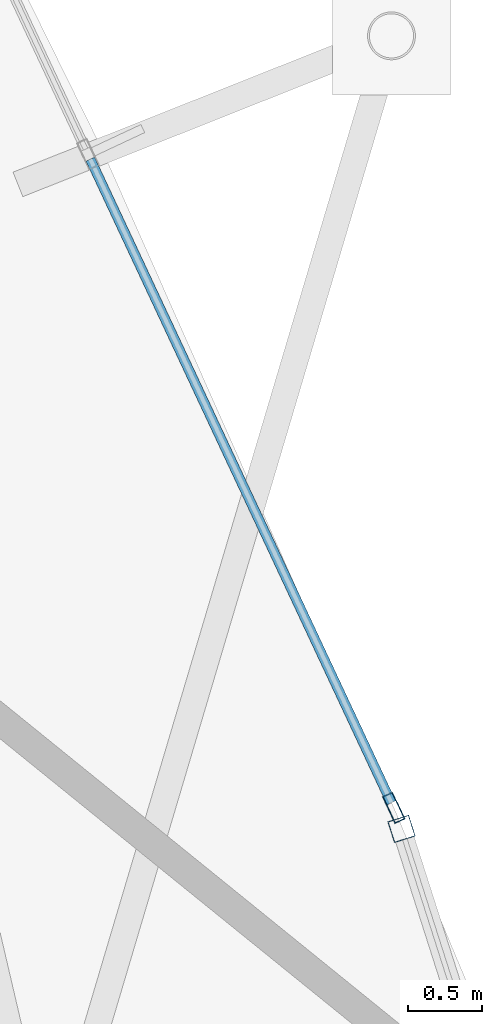
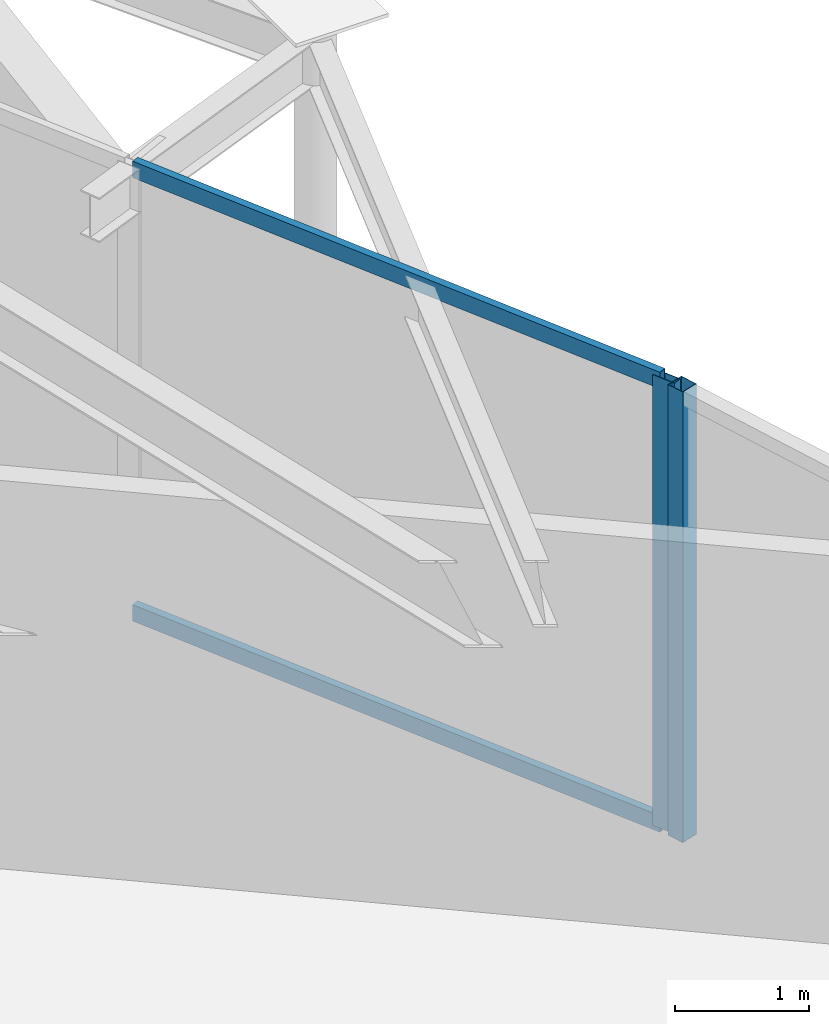
# One storey, part 13 of 25: 4 members, 2 elements without a shape of their own.
"""IFC4 building model written with IfcOpenShell, lengths in metres."""

from ifc_helpers import new_model, si_unit, direction, frame, origin, origin_2d, place, context, subcontext, project, spatial, hollow_rectangle, extrude, material, layer, layer_set, material_profile, profile_set, type_object, element, aggregate, save


model = new_model("IFC4")

# Units and contexts
model_context = context("Model", 3, precision=1e-05, world=origin(), true_north=direction((0.0, 1.0)))
body_context = subcontext(model_context, "Body", "Model", "MODEL_VIEW")
ifc_project = project(units=[si_unit("LENGTHUNIT", "METRE"), si_unit("AREAUNIT", "SQUARE_METRE"), si_unit("VOLUMEUNIT", "CUBIC_METRE"), si_unit("PLANEANGLEUNIT", "RADIAN"), si_unit("MASSUNIT", "GRAM", prefix="KILO")], contexts=[model_context])

# Site, building, storey
site_placement = place(None, origin())
site = spatial("IfcSite", under=ifc_project, at=site_placement, CompositionType="ELEMENT")
building_placement = place(site_placement, origin())
building = spatial("IfcBuilding", under=site, at=building_placement, Name="Orvanel Arch Residences", CompositionType="ELEMENT")
storey_placement = place(building_placement, frame((0.0, 0.0, 236.0)))
storey = spatial("IfcBuildingStorey", under=building, at=storey_placement, Name="L67", CompositionType="ELEMENT", Elevation=236.0)

# Curtain wall, member
ifc_material = material(Name="Bronze-anodised aluminium AA6063-T6", Category="aluminium")
ifc_layer_1 = layer(ifc_material, 0.18994140625)
ifc_layer_set_1 = layer_set([ifc_layer_1], Name="Bronze-anodised aluminium AA6063-T6")
curtain_wall_type_1 = type_object("IfcCurtainWallType", Name="CW5-CRN-SYS", PredefinedType="NOTDEFINED", material=ifc_layer_set_1)
curtain_wall_1_placement = place(storey_placement, origin())
curtain_wall_1 = element("IfcCurtainWall", 1, at=curtain_wall_1_placement, inside=storey, type_object=curtain_wall_type_1, Name="L67 CW5-CRN-SYS Unitised Curtain Wall", PredefinedType="NOTDEFINED")
ifc_material_profile_1 = material_profile(ifc_material, hollow_rectangle(XDim=0.14990234375, YDim=0.14990234375, WallThickness=0.0048828125, at=origin_2d()), Name="ALU150x150x5")
ifc_profile_set_1 = profile_set([ifc_material_profile_1], Name="Bronze-anodised aluminium AA6063-T6")
member_type_1 = type_object("IfcMemberType", Name="MUL-150x150", PredefinedType="MULLION", material=ifc_profile_set_1)
member_1_placement = place(storey_placement, frame((53.641845703125, 15.25146484375, 0.0), z_axis=(0.0, 0.0, 1.0), x_axis=(-0.952460933687, -0.304660745422, 0.0)))
member_1 = element("IfcMember", 2, at=member_1_placement, type_object=member_type_1, Name="CW-S5 mullion 2", PredefinedType="MULLION", context=body_context, shape_type="SweptSolid", body=[
    extrude(hollow_rectangle(XDim=0.14990234375, YDim=0.14990234375, WallThickness=0.0048828125, at=origin_2d()), origin(), (0.0, 0.0, 1.0), 4.110107421875),
])
aggregate(curtain_wall_1, [member_1])

# Curtain wall, members
ifc_layer_2 = layer(ifc_material, 0.195068359375)
ifc_layer_set_2 = layer_set([ifc_layer_2], Name="Bronze-anodised aluminium AA6063-T6")
curtain_wall_type_2 = type_object("IfcCurtainWallType", Name="CW6-COM-SYS", PredefinedType="NOTDEFINED", material=ifc_layer_set_2)
curtain_wall_2_placement = place(storey_placement, origin())
curtain_wall_2 = element("IfcCurtainWall", 3, at=curtain_wall_2_placement, inside=storey, type_object=curtain_wall_type_2, Name="L67 CW6-COM-SYS Unitised Curtain Wall", PredefinedType="NOTDEFINED")
ifc_material_profile_2 = material_profile(ifc_material, hollow_rectangle(XDim=0.074951171875, YDim=0.199951171875, WallThickness=0.0048828125, at=origin_2d()), Name="ALU200x75x5")
ifc_profile_set_2 = profile_set([ifc_material_profile_2], Name="Bronze-anodised aluminium AA6063-T6")
member_type_2 = type_object("IfcMemberType", Name="MUL-200x75", PredefinedType="MULLION", material=ifc_profile_set_2)
member_2_placement = place(storey_placement, frame((53.589111328125, 15.39404296875, 0.0), z_axis=(0.0, 0.0, 1.0), x_axis=(-0.905779948908, -0.423748373633, 0.0)))
member_2 = element("IfcMember", 4, at=member_2_placement, type_object=member_type_2, Name="CW-S6 mullion 1", PredefinedType="MULLION", context=body_context, shape_type="SweptSolid", body=[
    extrude(hollow_rectangle(XDim=0.074951171875, YDim=0.199951171875, WallThickness=0.0048828125, at=origin_2d()), origin(), (0.0, 0.0, 1.0), 4.110107421875),
])
ifc_material_profile_3 = material_profile(ifc_material, hollow_rectangle(XDim=0.06494140625, YDim=0.14990234375, WallThickness=0.00390625, at=origin_2d()), Name="ALU150x65x4")
ifc_profile_set_3 = profile_set([ifc_material_profile_3], Name="Bronze-anodised aluminium AA6063-T6")
member_type_3 = type_object("IfcMemberType", Name="TRN-150x65", PredefinedType="USERDEFINED", material=ifc_profile_set_3)
member_3_placement = place(storey_placement, frame((53.5732421875, 15.427978515625, 0.032470703125), z_axis=(-0.423761790356, 0.905773672081, 0.0), x_axis=(-0.905773672081, -0.423761790356, 0.0)))
member_3 = element("IfcMember", 5, at=member_3_placement, type_object=member_type_3, Name="CW-S6 transom 1.1", ObjectType="TRANSOM", PredefinedType="USERDEFINED", context=body_context, shape_type="SweptSolid", body=[
    extrude(hollow_rectangle(XDim=0.06494140625, YDim=0.14990234375, WallThickness=0.00390625, at=origin_2d()), origin(), (0.0, 0.0, 1.0), 4.80322265625),
])
member_4_placement = place(storey_placement, frame((53.5732421875, 15.427978515625, 4.077392578125), z_axis=(-0.423761790356, 0.905773672081, 0.0), x_axis=(-0.905773672081, -0.423761790356, 0.0)))
member_4 = element("IfcMember", 6, at=member_4_placement, type_object=member_type_3, Name="CW-S6 transom 1.2", ObjectType="TRANSOM", PredefinedType="USERDEFINED", context=body_context, shape_type="SweptSolid", body=[
    extrude(hollow_rectangle(XDim=0.06494140625, YDim=0.14990234375, WallThickness=0.00390625, at=origin_2d()), origin(), (0.0, 0.0, 1.0), 4.80322265625),
])
aggregate(curtain_wall_2, [member_2, member_3, member_4])

save(model, "model.ifc")
